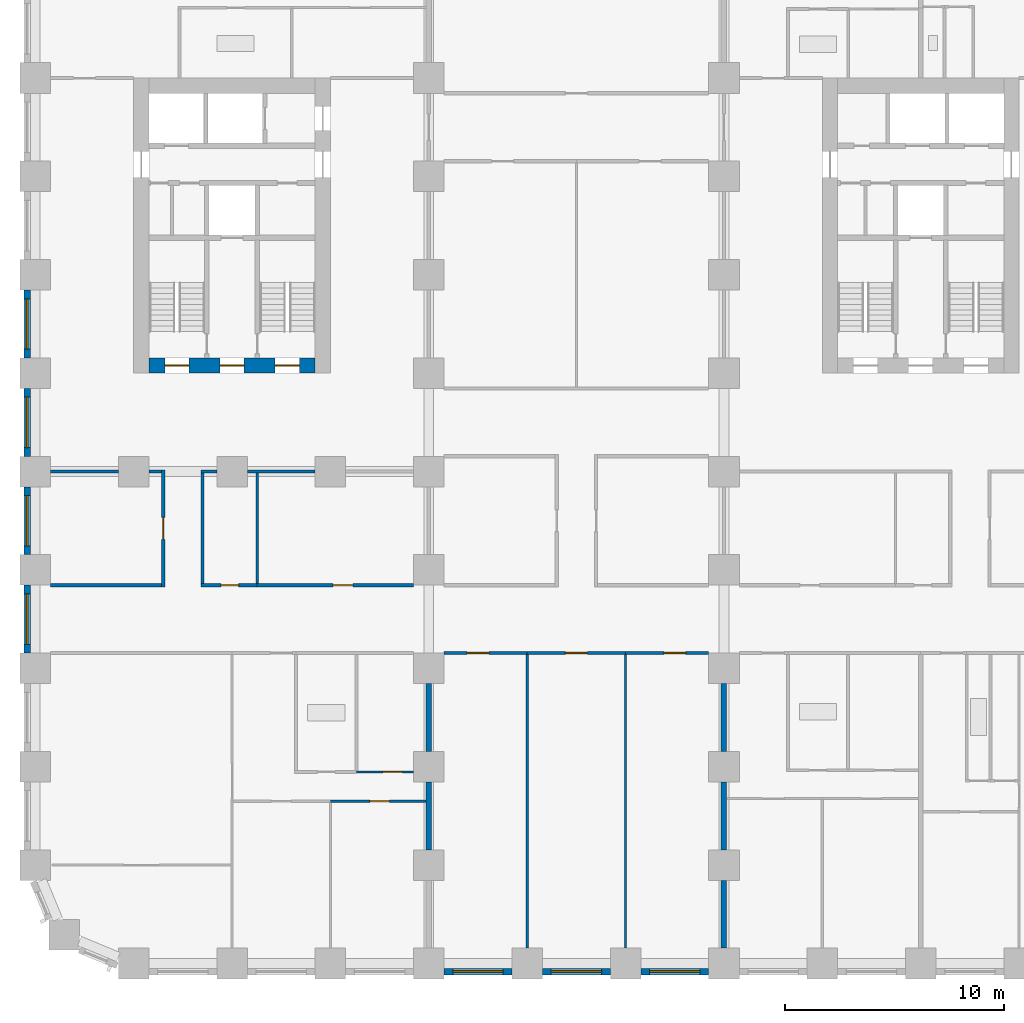
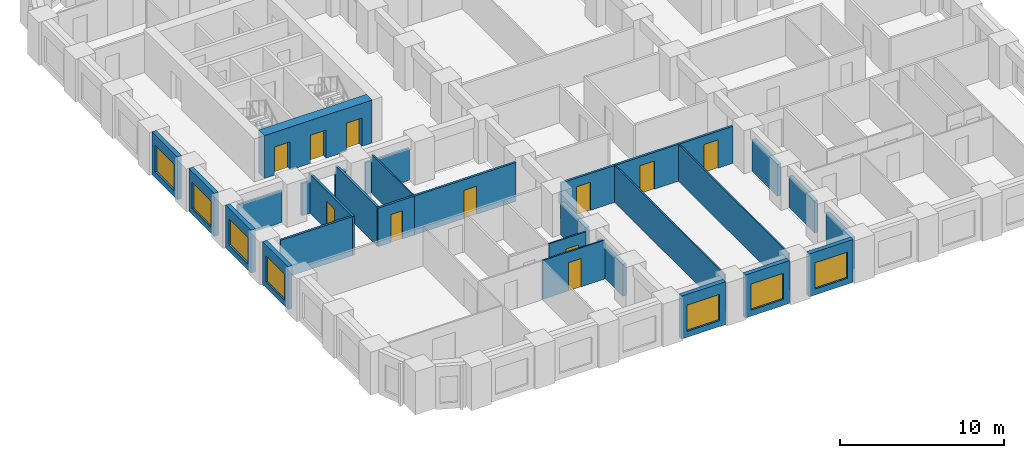
# One storey, part 3 of 12: 30 walls, 11 doors, 7 windows, 18 openings.
"""IFC4 building model written with IfcOpenShell, lengths in metres."""

from ifc_helpers import new_model, si_unit, direction, frame, frame_2d, origin, place, context, subcontext, project, spatial, rectangle, extrude, material, layer, layer_set, type_object, element, fill, save


model = new_model("IFC4")

# Units and contexts
model_context = context("Model", 3, precision=1e-05, world=origin(), true_north=direction((0.0, 1.0)))
body_context = subcontext(model_context, "Body", "Model", "MODEL_VIEW")
ifc_project = project(units=[si_unit("LENGTHUNIT", "METRE"), si_unit("AREAUNIT", "SQUARE_METRE"), si_unit("VOLUMEUNIT", "CUBIC_METRE"), si_unit("PLANEANGLEUNIT", "RADIAN"), si_unit("MASSUNIT", "GRAM", prefix="KILO")], contexts=[model_context])

# Site, building, storey
site_placement = place(None, origin())
site = spatial("IfcSite", under=ifc_project, at=site_placement, CompositionType="ELEMENT")
building_placement = place(site_placement, origin())
building = spatial("IfcBuilding", under=site, at=building_placement, Name="Girih Gate Residences", CompositionType="ELEMENT")
storey_placement = place(building_placement, frame((0.0, 0.0, 33.60009765625)))
storey = spatial("IfcBuildingStorey", under=building, at=storey_placement, Name="L07", CompositionType="ELEMENT", Elevation=33.60009765625)

# Walls
ifc_material_1 = material(Name="Gypsum board on steel studs", Category="steel")
ifc_layer_1 = layer(ifc_material_1, 0.25)
ifc_layer_set_1 = layer_set([ifc_layer_1], Name="Acoustic separating wall 250 mm")
wall_type_1 = type_object("IfcWallType", Name="Acoustic separating wall 250 mm", PredefinedType="PARTITIONING", material=ifc_layer_set_1)
for number, where, z_axis, x_axis, name in (
    (1, (18.0, 5.199951171875, 0.0), (0.0, 0.0, 1.0), (0.0, 1.0, 0.0), "L07 partition"),
    (2, (18.0, 9.699951171875, 0.0), (0.0, 0.0, 1.0), (0.0, 1.0, 0.0), "L07 partition"),
    (3, (31.5, 9.699951171875, 0.0), (0.0, 0.0, 1.0), (0.0, 1.0, 0.0), "L07 partition"),
    (4, (31.5, 0.699951171875, 0.0), (0.0, 0.0, 1.0), (0.0, 1.0, 0.0), "L07 partition"),
    (5, (31.5, 5.199951171875, 0.0), (0.0, 0.0, 1.0), (0.0, 1.0, 0.0), "L07 partition"),
):
    element("IfcWall", number, at=place(storey_placement, frame(where, z_axis=z_axis, x_axis=x_axis)), inside=storey, type_object=wall_type_1, Name=name, PredefinedType="PARTITIONING", context=body_context, shape_type="SweptSolid", body=[
        extrude(rectangle(XDim=3.10009765625, YDim=0.25, at=frame_2d((1.550048828125, 0.0))), origin(), (0.0, 0.0, 1.0), 2.3798828125),
    ])

# Wall, opening, door
ifc_layer_2 = layer(ifc_material_1, 0.14990234375)
ifc_layer_set_2 = layer_set([ifc_layer_2], Name="Compartment wall 150 mm")
wall_type_2 = type_object("IfcWallType", Name="Compartment wall 150 mm", PredefinedType="PARTITIONING", material=ifc_layer_set_2)
wall_1_placement = place(storey_placement, frame((22.5, 14.199951171875, 0.0), z_axis=(0.0, 0.0, 1.0), x_axis=(-1.0, 0.0, 0.0)))
wall_1 = element("IfcWall", 6, at=wall_1_placement, inside=storey, type_object=wall_type_2, Name="L07 partition", PredefinedType="PARTITIONING", context=body_context, shape_type="SweptSolid", body=[
    extrude(rectangle(XDim=3.800048828125, YDim=0.14990234375, at=frame_2d((1.89990234375, 0.0))), origin(), (0.0, 0.0, 1.0), 2.75),
])
opening_1_placement = place(wall_1_placement, frame((1.75, 0.0, 0.0)))
opening_1 = element("IfcOpeningElement", 7, at=opening_1_placement, cuts=wall_1, Name="Opening A07-040", PredefinedType="OPENING", context=body_context, shape_type="SweptSolid", body=[
    extrude(rectangle(XDim=1.0, YDim=2.10009765625, at=frame_2d((0.5, 1.050048828125))), frame((0.0, 0.0849609375, 0.0), z_axis=(0.0, -1.0, 0.0), x_axis=(1.0, 0.0, 0.0)), (0.0, 0.0, 1.0), 0.169921875),
])
ifc_material_2 = material(Name="Timber, fire-rated core", Category="wood")
door_type_1 = type_object("IfcDoorType", Name="Amenity room door 1000x2100 FD30S", OperationType="NOTDEFINED", PredefinedType="DOOR", material=ifc_material_2)
door_1_placement = place(opening_1_placement, origin())
door_1 = element("IfcDoor", 8, at=door_1_placement, inside=storey, type_object=door_type_1, Name="Door A07-040", OperationType="SINGLE_SWING_RIGHT", OverallHeight=2.10009765625, OverallWidth=1.0, PredefinedType="DOOR", context=body_context, shape_type="SweptSolid", body=[
    extrude(rectangle(XDim=1.0, YDim=2.10009765625, at=frame_2d((0.5, 1.050048828125))), frame((0.0, 0.02490234375, 0.0), z_axis=(0.0, -1.0, 0.0), x_axis=(1.0, 0.0, 0.0)), (0.0, 0.0, 1.0), 0.050048828125),
])
fill(opening_1, door_1)

wall_2_placement = place(storey_placement, frame((27.0, 14.199951171875, 0.0), z_axis=(0.0, 0.0, 1.0), x_axis=(-1.0, 0.0, 0.0)))
wall_2 = element("IfcWall", 9, at=wall_2_placement, inside=storey, type_object=wall_type_2, Name="L07 partition", PredefinedType="PARTITIONING", context=body_context, shape_type="SweptSolid", body=[
    extrude(rectangle(XDim=4.5, YDim=0.14990234375, at=frame_2d((2.25, 0.0))), origin(), (0.0, 0.0, 1.0), 2.75),
])
opening_2_placement = place(wall_2_placement, frame((1.75, 0.0, 0.0)))
opening_2 = element("IfcOpeningElement", 10, at=opening_2_placement, cuts=wall_2, Name="Opening A07-041", PredefinedType="OPENING", context=body_context, shape_type="SweptSolid", body=[
    extrude(rectangle(XDim=1.0, YDim=2.10009765625, at=frame_2d((0.5, 1.050048828125))), frame((0.0, 0.0849609375, 0.0), z_axis=(0.0, -1.0, 0.0), x_axis=(1.0, 0.0, 0.0)), (0.0, 0.0, 1.0), 0.169921875),
])
door_2_placement = place(opening_2_placement, origin())
door_2 = element("IfcDoor", 11, at=door_2_placement, inside=storey, type_object=door_type_1, Name="Door A07-041", OperationType="SINGLE_SWING_RIGHT", OverallHeight=2.10009765625, OverallWidth=1.0, PredefinedType="DOOR", context=body_context, shape_type="SweptSolid", body=[
    extrude(rectangle(XDim=1.0, YDim=2.10009765625, at=frame_2d((0.5, 1.050048828125))), frame((0.0, 0.02490234375, 0.0), z_axis=(0.0, -1.0, 0.0), x_axis=(1.0, 0.0, 0.0)), (0.0, 0.0, 1.0), 0.050048828125),
])
fill(opening_2, door_2)

wall_3_placement = place(storey_placement, frame((30.800048828125, 14.199951171875, 0.0), z_axis=(0.0, 0.0, 1.0), x_axis=(-1.0, 0.0, 0.0)))
wall_3 = element("IfcWall", 12, at=wall_3_placement, inside=storey, type_object=wall_type_2, Name="L07 partition", PredefinedType="PARTITIONING", context=body_context, shape_type="SweptSolid", body=[
    extrude(rectangle(XDim=3.800048828125, YDim=0.14990234375, at=frame_2d((1.89990234375, 0.0))), origin(), (0.0, 0.0, 1.0), 2.75),
])
opening_3_placement = place(wall_3_placement, frame((1.050048828125, 0.0, 0.0)))
opening_3 = element("IfcOpeningElement", 13, at=opening_3_placement, cuts=wall_3, Name="Opening A07-042", PredefinedType="OPENING", context=body_context, shape_type="SweptSolid", body=[
    extrude(rectangle(XDim=1.0, YDim=2.10009765625, at=frame_2d((0.5, 1.050048828125))), frame((0.0, 0.0849609375, 0.0), z_axis=(0.0, -1.0, 0.0), x_axis=(1.0, 0.0, 0.0)), (0.0, 0.0, 1.0), 0.169921875),
])
door_3_placement = place(opening_3_placement, origin())
door_3 = element("IfcDoor", 14, at=door_3_placement, inside=storey, type_object=door_type_1, Name="Door A07-042", OperationType="SINGLE_SWING_LEFT", OverallHeight=2.10009765625, OverallWidth=1.0, PredefinedType="DOOR", context=body_context, shape_type="SweptSolid", body=[
    extrude(rectangle(XDim=1.0, YDim=2.10009765625, at=frame_2d((0.5, 1.050048828125))), frame((0.0, 0.02490234375, 0.0), z_axis=(0.0, -1.0, 0.0), x_axis=(1.0, 0.0, 0.0)), (0.0, 0.0, 1.0), 0.050048828125),
])
fill(opening_3, door_3)

wall_4_placement = place(storey_placement, frame((10.14990234375, 17.300048828125, 0.0), z_axis=(0.0, 0.0, 1.0), x_axis=(1.0, 0.0, 0.0)))
wall_4 = element("IfcWall", 15, at=wall_4_placement, inside=storey, type_object=wall_type_2, Name="L07 partition", PredefinedType="PARTITIONING", context=body_context, shape_type="SweptSolid", body=[
    extrude(rectangle(XDim=7.150146484375, YDim=0.14990234375, at=frame_2d((3.5751953125, 0.0))), origin(), (0.0, 0.0, 1.0), 2.89990234375),
])
opening_4_placement = place(wall_4_placement, frame((3.47509765625, 0.0, 0.0)))
opening_4 = element("IfcOpeningElement", 16, at=opening_4_placement, cuts=wall_4, Name="Opening A07-046", PredefinedType="OPENING", context=body_context, shape_type="SweptSolid", body=[
    extrude(rectangle(XDim=0.89990234375, YDim=2.10009765625, at=frame_2d((0.449951171875, 1.050048828125))), frame((0.0, 0.0849609375, 0.0), z_axis=(0.0, -1.0, 0.0), x_axis=(1.0, 0.0, 0.0)), (0.0, 0.0, 1.0), 0.169921875),
])
ifc_material_3 = material(Name="Timber", Category="wood")
door_type_2 = type_object("IfcDoorType", Name="Service room door 900x2100", OperationType="NOTDEFINED", PredefinedType="DOOR", material=ifc_material_3)
door_4_placement = place(opening_4_placement, origin())
door_4 = element("IfcDoor", 17, at=door_4_placement, inside=storey, type_object=door_type_2, Name="Door A07-046", OperationType="SINGLE_SWING_RIGHT", OverallHeight=2.10009765625, OverallWidth=0.89990234375, PredefinedType="DOOR", context=body_context, shape_type="SweptSolid", body=[
    extrude(rectangle(XDim=0.89990234375, YDim=2.10009765625, at=frame_2d((0.449951171875, 1.050048828125))), frame((0.0, 0.02490234375, 0.0), z_axis=(0.0, -1.0, 0.0), x_axis=(1.0, 0.0, 0.0)), (0.0, 0.0, 1.0), 0.050048828125),
])
fill(opening_4, door_4)

wall_5_placement = place(storey_placement, frame((7.574951171875, 17.300048828125, 0.0), z_axis=(0.0, 0.0, 1.0), x_axis=(1.0, 0.0, 0.0)))
wall_5 = element("IfcWall", 18, at=wall_5_placement, inside=storey, type_object=wall_type_2, Name="L07 partition", PredefinedType="PARTITIONING", context=body_context, shape_type="SweptSolid", body=[
    extrude(rectangle(XDim=2.574951171875, YDim=0.14990234375, at=frame_2d((1.28759765625, 0.0))), origin(), (0.0, 0.0, 1.0), 2.89990234375),
])
opening_5_placement = place(wall_5_placement, frame((0.925048828125, 0.0, 0.0)))
opening_5 = element("IfcOpeningElement", 19, at=opening_5_placement, cuts=wall_5, Name="Opening A07-048", PredefinedType="OPENING", context=body_context, shape_type="SweptSolid", body=[
    extrude(rectangle(XDim=0.800048828125, YDim=2.10009765625, at=frame_2d((0.39990234375, 1.050048828125))), frame((0.0, 0.0849609375, 0.0), z_axis=(0.0, -1.0, 0.0), x_axis=(1.0, 0.0, 0.0)), (0.0, 0.0, 1.0), 0.169921875),
])
door_type_3 = type_object("IfcDoorType", Name="Bathroom door 800x2100", OperationType="NOTDEFINED", PredefinedType="DOOR", material=ifc_material_3)
door_5_placement = place(opening_5_placement, origin())
door_5 = element("IfcDoor", 20, at=door_5_placement, inside=storey, type_object=door_type_3, Name="Door A07-048", OperationType="SINGLE_SWING_RIGHT", OverallHeight=2.10009765625, OverallWidth=0.800048828125, PredefinedType="DOOR", context=body_context, shape_type="SweptSolid", body=[
    extrude(rectangle(XDim=0.800048828125, YDim=2.10009765625, at=frame_2d((0.39990234375, 1.050048828125))), frame((0.0, 0.02490234375, 0.0), z_axis=(0.0, -1.0, 0.0), x_axis=(1.0, 0.0, 0.0)), (0.0, 0.0, 1.0), 0.050048828125),
])
fill(opening_5, door_5)

# Walls
wall_6_placement = place(storey_placement, frame((0.699951171875, 17.300048828125, 0.0), z_axis=(0.0, 0.0, 1.0), x_axis=(1.0, 0.0, 0.0)))
element("IfcWall", 21, at=wall_6_placement, inside=storey, type_object=wall_type_2, Name="L07 partition", PredefinedType="PARTITIONING", context=body_context, shape_type="SweptSolid", body=[
    extrude(rectangle(XDim=5.074951171875, YDim=0.14990234375, at=frame_2d((2.53759765625, 0.0))), origin(), (0.0, 0.0, 1.0), 2.89990234375),
])
wall_7_placement = place(storey_placement, frame((9.699951171875, 22.5, 0.0), z_axis=(0.0, 0.0, 1.0), x_axis=(1.0, 0.0, 0.0)))
element("IfcWall", 22, at=wall_7_placement, inside=storey, type_object=wall_type_2, Name="L07 partition", PredefinedType="PARTITIONING", context=body_context, shape_type="SweptSolid", body=[
    extrude(rectangle(XDim=3.10009765625, YDim=0.14990234375, at=frame_2d((1.550048828125, 0.0))), origin(), (0.0, 0.0, 1.0), 2.3798828125),
])
wall_8_placement = place(storey_placement, frame((7.574951171875, 22.5, 0.0), z_axis=(0.0, 0.0, 1.0), x_axis=(1.0, 0.0, 0.0)))
element("IfcWall", 23, at=wall_8_placement, inside=storey, type_object=wall_type_2, Name="L07 partition", PredefinedType="PARTITIONING", context=body_context, shape_type="SweptSolid", body=[
    extrude(rectangle(XDim=0.72509765625, YDim=0.14990234375, at=frame_2d((0.362548828125, 0.0))), origin(), (0.0, 0.0, 1.0), 2.3798828125),
])
wall_9_placement = place(storey_placement, frame((5.199951171875, 22.5, 0.0), z_axis=(0.0, 0.0, 1.0), x_axis=(1.0, 0.0, 0.0)))
element("IfcWall", 24, at=wall_9_placement, inside=storey, type_object=wall_type_2, Name="L07 partition", PredefinedType="PARTITIONING", context=body_context, shape_type="SweptSolid", body=[
    extrude(rectangle(XDim=0.574951171875, YDim=0.14990234375, at=frame_2d((0.28759765625, 0.0))), origin(), (0.0, 0.0, 1.0), 2.3798828125),
])
wall_10_placement = place(storey_placement, frame((0.699951171875, 22.5, 0.0), z_axis=(0.0, 0.0, 1.0), x_axis=(1.0, 0.0, 0.0)))
element("IfcWall", 25, at=wall_10_placement, inside=storey, type_object=wall_type_2, Name="L07 partition", PredefinedType="PARTITIONING", context=body_context, shape_type="SweptSolid", body=[
    extrude(rectangle(XDim=3.10009765625, YDim=0.14990234375, at=frame_2d((1.550048828125, 0.0))), origin(), (0.0, 0.0, 1.0), 2.3798828125),
])
wall_11_placement = place(storey_placement, frame((7.64990234375, 17.375, 0.0), z_axis=(0.0, 0.0, 1.0), x_axis=(0.0, 1.0, 0.0)))
element("IfcWall", 26, at=wall_11_placement, inside=storey, type_object=wall_type_2, Name="L07 partition", PredefinedType="PARTITIONING", context=body_context, shape_type="SweptSolid", body=[
    extrude(rectangle(XDim=5.050048828125, YDim=0.14990234375, at=frame_2d((2.52490234375, 0.0))), origin(), (0.0, 0.0, 1.0), 2.89990234375),
])

# Wall, opening, door
wall_12_placement = place(storey_placement, frame((5.85009765625, 17.22509765625, 0.0), z_axis=(0.0, 0.0, 1.0), x_axis=(0.0, 1.0, 0.0)))
wall_12 = element("IfcWall", 27, at=wall_12_placement, inside=storey, type_object=wall_type_2, Name="L07 partition", PredefinedType="PARTITIONING", context=body_context, shape_type="SweptSolid", body=[
    extrude(rectangle(XDim=5.349853515625, YDim=0.14990234375, at=frame_2d((2.6748046875, 0.0))), origin(), (0.0, 0.0, 1.0), 2.89990234375),
])
opening_6_placement = place(wall_12_placement, frame((2.175048828125, 0.0, 0.0)))
opening_6 = element("IfcOpeningElement", 28, at=opening_6_placement, cuts=wall_12, Name="Opening A07-050", PredefinedType="OPENING", context=body_context, shape_type="SweptSolid", body=[
    extrude(rectangle(XDim=1.0, YDim=2.10009765625, at=frame_2d((0.5, 1.050048828125))), frame((0.0, 0.0849609375, 0.0), z_axis=(0.0, -1.0, 0.0), x_axis=(1.0, 0.0, 0.0)), (0.0, 0.0, 1.0), 0.169921875),
])
door_6_placement = place(opening_6_placement, origin())
door_6 = element("IfcDoor", 29, at=door_6_placement, inside=storey, type_object=door_type_1, Name="Door A07-050", OperationType="SINGLE_SWING_LEFT", OverallHeight=2.10009765625, OverallWidth=1.0, PredefinedType="DOOR", context=body_context, shape_type="SweptSolid", body=[
    extrude(rectangle(XDim=1.0, YDim=2.10009765625, at=frame_2d((0.5, 1.050048828125))), frame((0.0, 0.02490234375, 0.0), z_axis=(0.0, -1.0, 0.0), x_axis=(1.0, 0.0, 0.0)), (0.0, 0.0, 1.0), 0.050048828125),
])
fill(opening_6, door_6)

# Wall, openings, doors
ifc_material_4 = material(Name="Concrete C60/75", Category="concrete")
ifc_layer_3 = layer(ifc_material_4, 0.699951171875)
ifc_layer_set_3 = layer_set([ifc_layer_3], Name="Core wall RC 700 Concrete C60/75")
wall_type_3 = type_object("IfcWallType", Name="Core wall RC 700 Concrete C60/75", PredefinedType="SOLIDWALL", material=ifc_layer_set_3)
wall_13_placement = place(storey_placement, frame((5.199951171875, 27.35009765625, 0.0), z_axis=(0.0, 0.0, 1.0), x_axis=(1.0, 0.0, 0.0)))
wall_13 = element("IfcWall", 30, at=wall_13_placement, inside=storey, type_object=wall_type_3, Name="Core wall W-S L07", PredefinedType="SOLIDWALL", context=body_context, shape_type="SweptSolid", body=[
    extrude(rectangle(XDim=7.60009765625, YDim=0.699951171875, at=frame_2d((3.800048828125, 0.0))), origin(), (0.0, 0.0, 1.0), 3.199951171875),
])
opening_7_placement = place(wall_13_placement, frame((0.72509765625, 0.0, 0.0)))
opening_7 = element("IfcOpeningElement", 31, at=opening_7_placement, cuts=wall_13, Name="Opening D-L07-W-009", PredefinedType="OPENING", context=body_context, shape_type="SweptSolid", body=[
    extrude(rectangle(XDim=1.10009765625, YDim=2.10009765625, at=frame_2d((0.550048828125, 1.050048828125))), frame((0.0, 0.35986328125, 0.0), z_axis=(0.0, -1.0, 0.0), x_axis=(1.0, 0.0, 0.0)), (0.0, 0.0, 1.0), 0.719970703125),
])
opening_8_placement = place(wall_13_placement, frame((3.25, 0.0, 0.0)))
opening_8 = element("IfcOpeningElement", 32, at=opening_8_placement, cuts=wall_13, Name="Opening D-L07-W-010", PredefinedType="OPENING", context=body_context, shape_type="SweptSolid", body=[
    extrude(rectangle(XDim=1.10009765625, YDim=2.10009765625, at=frame_2d((0.550048828125, 1.050048828125))), frame((0.0, 0.35986328125, 0.0), z_axis=(0.0, -1.0, 0.0), x_axis=(1.0, 0.0, 0.0)), (0.0, 0.0, 1.0), 0.719970703125),
])
opening_9_placement = place(wall_13_placement, frame((5.77490234375, 0.0, 0.0)))
opening_9 = element("IfcOpeningElement", 33, at=opening_9_placement, cuts=wall_13, Name="Opening D-L07-W-011", PredefinedType="OPENING", context=body_context, shape_type="SweptSolid", body=[
    extrude(rectangle(XDim=1.10009765625, YDim=2.10009765625, at=frame_2d((0.550048828125, 1.050048828125))), frame((0.0, 0.35986328125, 0.0), z_axis=(0.0, -1.0, 0.0), x_axis=(1.0, 0.0, 0.0)), (0.0, 0.0, 1.0), 0.719970703125),
])
ifc_material_5 = material(Name="Painted steel, fire-resisting", Category="steel")
door_type_4 = type_object("IfcDoorType", Name="Fire door 1100x2100", OperationType="SINGLE_SWING_LEFT", PredefinedType="DOOR", material=ifc_material_5)
door_7_placement = place(opening_7_placement, origin())
door_7 = element("IfcDoor", 34, at=door_7_placement, inside=storey, type_object=door_type_4, Name="L07 W core door sta-out", OperationType="SINGLE_SWING_LEFT", OverallHeight=2.10009765625, OverallWidth=1.10009765625, PredefinedType="DOOR", context=body_context, shape_type="SweptSolid", body=[
    extrude(rectangle(XDim=1.10009765625, YDim=2.10009765625, at=frame_2d((0.550048828125, 1.050048828125))), frame((0.0, 0.02490234375, 0.0), z_axis=(0.0, -1.0, 0.0), x_axis=(1.0, 0.0, 0.0)), (0.0, 0.0, 1.0), 0.050048828125),
])
fill(opening_7, door_7)
door_8_placement = place(opening_8_placement, origin())
door_8 = element("IfcDoor", 35, at=door_8_placement, inside=storey, type_object=door_type_4, Name="L07 W core door ffl-out", OperationType="SINGLE_SWING_LEFT", OverallHeight=2.10009765625, OverallWidth=1.10009765625, PredefinedType="DOOR", context=body_context, shape_type="SweptSolid", body=[
    extrude(rectangle(XDim=1.10009765625, YDim=2.10009765625, at=frame_2d((0.550048828125, 1.050048828125))), frame((0.0, 0.02490234375, 0.0), z_axis=(0.0, -1.0, 0.0), x_axis=(1.0, 0.0, 0.0)), (0.0, 0.0, 1.0), 0.050048828125),
])
fill(opening_8, door_8)
door_9_placement = place(opening_9_placement, origin())
door_9 = element("IfcDoor", 36, at=door_9_placement, inside=storey, type_object=door_type_4, Name="L07 W core door stb-out", OperationType="SINGLE_SWING_LEFT", OverallHeight=2.10009765625, OverallWidth=1.10009765625, PredefinedType="DOOR", context=body_context, shape_type="SweptSolid", body=[
    extrude(rectangle(XDim=1.10009765625, YDim=2.10009765625, at=frame_2d((0.550048828125, 1.050048828125))), frame((0.0, 0.02490234375, 0.0), z_axis=(0.0, -1.0, 0.0), x_axis=(1.0, 0.0, 0.0)), (0.0, 0.0, 1.0), 0.050048828125),
])
fill(opening_9, door_9)

# Wall, opening, door
ifc_layer_4 = layer(ifc_material_1, 0.10009765625)
ifc_layer_set_4 = layer_set([ifc_layer_4], Name="Partition 100 mm")
wall_type_4 = type_object("IfcWallType", Name="Partition 100 mm", PredefinedType="PARTITIONING", material=ifc_layer_set_4)
wall_14_placement = place(storey_placement, frame((17.875, 7.419921875, 0.0), z_axis=(0.0, 0.0, 1.0), x_axis=(-1.0, 0.0, 0.0)))
wall_14 = element("IfcWall", 37, at=wall_14_placement, inside=storey, type_object=wall_type_4, Name="L07 partition", PredefinedType="PARTITIONING", context=body_context, shape_type="SweptSolid", body=[
    extrude(rectangle(XDim=4.375, YDim=0.10009765625, at=frame_2d((2.1875, 0.0))), origin(), (0.0, 0.0, 1.0), 2.89990234375),
])
opening_10_placement = place(wall_14_placement, frame((1.675048828125, 0.0, 0.0)))
opening_10 = element("IfcOpeningElement", 38, at=opening_10_placement, cuts=wall_14, Name="Opening A07-003", PredefinedType="OPENING", context=body_context, shape_type="SweptSolid", body=[
    extrude(rectangle(XDim=0.89990234375, YDim=2.10009765625, at=frame_2d((0.449951171875, 1.050048828125))), frame((0.0, 0.06005859375, 0.0), z_axis=(0.0, -1.0, 0.0), x_axis=(1.0, 0.0, 0.0)), (0.0, 0.0, 1.0), 0.1201171875),
])
door_type_5 = type_object("IfcDoorType", Name="Bedroom door 900x2100", OperationType="NOTDEFINED", PredefinedType="DOOR", material=ifc_material_3)
door_10_placement = place(opening_10_placement, origin())
door_10 = element("IfcDoor", 39, at=door_10_placement, inside=storey, type_object=door_type_5, Name="Door A07-003", OperationType="SINGLE_SWING_LEFT", OverallHeight=2.10009765625, OverallWidth=0.89990234375, PredefinedType="DOOR", context=body_context, shape_type="SweptSolid", body=[
    extrude(rectangle(XDim=0.89990234375, YDim=2.10009765625, at=frame_2d((0.449951171875, 1.050048828125))), frame((0.0, 0.02490234375, 0.0), z_axis=(0.0, -1.0, 0.0), x_axis=(1.0, 0.0, 0.0)), (0.0, 0.0, 1.0), 0.050048828125),
])
fill(opening_10, door_10)

wall_15_placement = place(storey_placement, frame((14.6904296875, 8.760009765625, 0.0), z_axis=(0.0, 0.0, 1.0), x_axis=(1.0, 0.0, 0.0)))
wall_15 = element("IfcWall", 40, at=wall_15_placement, inside=storey, type_object=wall_type_4, Name="L07 partition", PredefinedType="PARTITIONING", context=body_context, shape_type="SweptSolid", body=[
    extrude(rectangle(XDim=2.609619140625, YDim=0.10009765625, at=frame_2d((1.3046875, 0.0))), origin(), (0.0, 0.0, 1.0), 2.89990234375),
])
opening_11_placement = place(wall_15_placement, frame((1.20458984375, 0.0, 0.0)))
opening_11 = element("IfcOpeningElement", 41, at=opening_11_placement, cuts=wall_15, Name="Opening A07-006", PredefinedType="OPENING", context=body_context, shape_type="SweptSolid", body=[
    extrude(rectangle(XDim=0.89990234375, YDim=2.10009765625, at=frame_2d((0.449951171875, 1.050048828125))), frame((0.0, 0.06005859375, 0.0), z_axis=(0.0, -1.0, 0.0), x_axis=(1.0, 0.0, 0.0)), (0.0, 0.0, 1.0), 0.1201171875),
])
door_type_6 = type_object("IfcDoorType", Name="Kitchen door 900x2100", OperationType="NOTDEFINED", PredefinedType="DOOR", material=ifc_material_3)
door_11_placement = place(opening_11_placement, origin())
door_11 = element("IfcDoor", 42, at=door_11_placement, inside=storey, type_object=door_type_6, Name="Door A07-006", OperationType="SINGLE_SWING_RIGHT", OverallHeight=2.10009765625, OverallWidth=0.89990234375, PredefinedType="DOOR", context=body_context, shape_type="SweptSolid", body=[
    extrude(rectangle(XDim=0.89990234375, YDim=2.10009765625, at=frame_2d((0.449951171875, 1.050048828125))), frame((0.0, 0.02490234375, 0.0), z_axis=(0.0, -1.0, 0.0), x_axis=(1.0, 0.0, 0.0)), (0.0, 0.0, 1.0), 0.050048828125),
])
fill(opening_11, door_11)

# Walls
for number, where, z_axis, x_axis, name in (
    (43, (22.5, 0.699951171875, 0.0), (0.0, 0.0, 1.0), (0.0, 1.0, 0.0), "L07 partition"),
    (44, (27.0, 0.699951171875, 0.0), (0.0, 0.0, 1.0), (0.0, 1.0, 0.0), "L07 partition"),
):
    element("IfcWall", number, at=place(storey_placement, frame(where, z_axis=z_axis, x_axis=x_axis)), inside=storey, type_object=wall_type_4, Name=name, PredefinedType="PARTITIONING", context=body_context, shape_type="SweptSolid", body=[
        extrude(rectangle(XDim=13.425048828125, YDim=0.10009765625, at=frame_2d((6.71240234375, 0.0))), origin(), (0.0, 0.0, 1.0), 2.75),
    ])
wall_16_placement = place(storey_placement, frame((10.14990234375, 17.375, 0.0), z_axis=(0.0, 0.0, 1.0), x_axis=(0.0, 1.0, 0.0)))
element("IfcWall", 45, at=wall_16_placement, inside=storey, type_object=wall_type_4, Name="L07 partition", PredefinedType="PARTITIONING", context=body_context, shape_type="SweptSolid", body=[
    extrude(rectangle(XDim=5.050048828125, YDim=0.10009765625, at=frame_2d((2.52490234375, 0.0))), origin(), (0.0, 0.0, 1.0), 2.89990234375),
])

# Wall, opening, window
ifc_material_6 = material(Name="Precast concrete C50/60", Category="concrete")
ifc_layer_5 = layer(ifc_material_6, 0.080078125, Name="Outer leaf")
ifc_material_7 = material(Name="Rigid PIR insulation")
ifc_layer_6 = layer(ifc_material_7, 0.14990234375, Name="Insulation")
ifc_material_8 = material(Name="Precast concrete C40/50", Category="concrete")
ifc_layer_7 = layer(ifc_material_8, 0.070068359375, Name="Inner leaf")
ifc_layer_set_5 = layer_set([ifc_layer_5, ifc_layer_6, ifc_layer_7], Name="Precast concrete C50/60 external wall 300")
wall_type_5 = type_object("IfcWallType", Name="Precast concrete C50/60 external wall 300", PredefinedType="SOLIDWALL", material=ifc_layer_set_5)
wall_17_placement = place(storey_placement, frame((21.800048828125, -0.375, 0.0), z_axis=(0.0, 0.0, 1.0), x_axis=(-1.0, 0.0, 0.0)))
wall_17 = element("IfcWall", 46, at=wall_17_placement, inside=storey, type_object=wall_type_5, Name="External wall S0045_0000.3", PredefinedType="SOLIDWALL", context=body_context, shape_type="SweptSolid", body=[
    extrude(rectangle(XDim=3.10009765625, YDim=0.300048828125, at=frame_2d((1.550048828125, 0.0))), origin(), (0.0, 0.0, 1.0), 3.199951171875),
])
opening_12_placement = place(wall_17_placement, frame((0.39990234375, 0.0, 0.449951171875)))
opening_12 = element("IfcOpeningElement", 47, at=opening_12_placement, cuts=wall_17, Name="Opening W-1", PredefinedType="OPENING", context=body_context, shape_type="SweptSolid", body=[
    extrude(rectangle(XDim=2.300048828125, YDim=1.949951171875, at=frame_2d((1.14990234375, 0.97509765625))), frame((0.0, 0.159912109375, 0.0), z_axis=(0.0, -1.0, 0.0), x_axis=(1.0, 0.0, 0.0)), (0.0, 0.0, 1.0), 0.320068359375),
])
ifc_material_9 = material(Name="Double glazing in aluminium frame", Category="aluminium")
window_type = type_object("IfcWindowType", Name="Window W-1 2300x1950", PartitioningType="SINGLE_PANEL", PredefinedType="WINDOW", material=ifc_material_9)
window_1_placement = place(opening_12_placement, origin())
window_1 = element("IfcWindow", 48, at=window_1_placement, inside=storey, type_object=window_type, Name="Window W-1 S0045_0000.3", OverallHeight=1.949951171875, OverallWidth=2.300048828125, PartitioningType="SINGLE_PANEL", PredefinedType="WINDOW", context=body_context, shape_type="SweptSolid", body=[
    extrude(rectangle(XDim=2.300048828125, YDim=1.949951171875, at=frame_2d((1.14990234375, 0.97509765625))), frame((0.0, 0.030029296875, 0.0), z_axis=(0.0, -1.0, 0.0), x_axis=(1.0, 0.0, 0.0)), (0.0, 0.0, 1.0), 0.06005859375),
])
fill(opening_12, window_1)

wall_18_placement = place(storey_placement, frame((26.300048828125, -0.375, 0.0), z_axis=(0.0, 0.0, 1.0), x_axis=(-1.0, 0.0, 0.0)))
wall_18 = element("IfcWall", 49, at=wall_18_placement, inside=storey, type_object=wall_type_5, Name="External wall S0045_0000.4", PredefinedType="SOLIDWALL", context=body_context, shape_type="SweptSolid", body=[
    extrude(rectangle(XDim=3.10009765625, YDim=0.300048828125, at=frame_2d((1.550048828125, 0.0))), origin(), (0.0, 0.0, 1.0), 3.199951171875),
])
opening_13_placement = place(wall_18_placement, frame((0.39990234375, 0.0, 0.449951171875)))
opening_13 = element("IfcOpeningElement", 50, at=opening_13_placement, cuts=wall_18, Name="Opening W-1", PredefinedType="OPENING", context=body_context, shape_type="SweptSolid", body=[
    extrude(rectangle(XDim=2.300048828125, YDim=1.949951171875, at=frame_2d((1.14990234375, 0.97509765625))), frame((0.0, 0.159912109375, 0.0), z_axis=(0.0, -1.0, 0.0), x_axis=(1.0, 0.0, 0.0)), (0.0, 0.0, 1.0), 0.320068359375),
])
window_2_placement = place(opening_13_placement, origin())
window_2 = element("IfcWindow", 51, at=window_2_placement, inside=storey, type_object=window_type, Name="Window W-1 S0045_0000.4", OverallHeight=1.949951171875, OverallWidth=2.300048828125, PartitioningType="SINGLE_PANEL", PredefinedType="WINDOW", context=body_context, shape_type="SweptSolid", body=[
    extrude(rectangle(XDim=2.300048828125, YDim=1.949951171875, at=frame_2d((1.14990234375, 0.97509765625))), frame((0.0, 0.030029296875, 0.0), z_axis=(0.0, -1.0, 0.0), x_axis=(1.0, 0.0, 0.0)), (0.0, 0.0, 1.0), 0.06005859375),
])
fill(opening_13, window_2)

wall_19_placement = place(storey_placement, frame((30.800048828125, -0.375, 0.0), z_axis=(0.0, 0.0, 1.0), x_axis=(-1.0, 0.0, 0.0)))
wall_19 = element("IfcWall", 52, at=wall_19_placement, inside=storey, type_object=wall_type_5, Name="External wall S0045_0000.5", PredefinedType="SOLIDWALL", context=body_context, shape_type="SweptSolid", body=[
    extrude(rectangle(XDim=3.10009765625, YDim=0.300048828125, at=frame_2d((1.550048828125, 0.0))), origin(), (0.0, 0.0, 1.0), 3.199951171875),
])
opening_14_placement = place(wall_19_placement, frame((0.39990234375, 0.0, 0.449951171875)))
opening_14 = element("IfcOpeningElement", 53, at=opening_14_placement, cuts=wall_19, Name="Opening W-1", PredefinedType="OPENING", context=body_context, shape_type="SweptSolid", body=[
    extrude(rectangle(XDim=2.300048828125, YDim=1.949951171875, at=frame_2d((1.14990234375, 0.97509765625))), frame((0.0, 0.159912109375, 0.0), z_axis=(0.0, -1.0, 0.0), x_axis=(1.0, 0.0, 0.0)), (0.0, 0.0, 1.0), 0.320068359375),
])
window_3_placement = place(opening_14_placement, origin())
window_3 = element("IfcWindow", 54, at=window_3_placement, inside=storey, type_object=window_type, Name="Window W-1 S0045_0000.5", OverallHeight=1.949951171875, OverallWidth=2.300048828125, PartitioningType="SINGLE_PANEL", PredefinedType="WINDOW", context=body_context, shape_type="SweptSolid", body=[
    extrude(rectangle(XDim=2.300048828125, YDim=1.949951171875, at=frame_2d((1.14990234375, 0.97509765625))), frame((0.0, 0.030029296875, 0.0), z_axis=(0.0, -1.0, 0.0), x_axis=(1.0, 0.0, 0.0)), (0.0, 0.0, 1.0), 0.06005859375),
])
fill(opening_14, window_3)

wall_20_placement = place(storey_placement, frame((-0.375, 27.699951171875, 0.0), z_axis=(0.0, 0.0, 1.0), x_axis=(0.0, 1.0, 0.0)))
wall_20 = element("IfcWall", 55, at=wall_20_placement, inside=storey, type_object=wall_type_5, Name="External wall W0000_0450.3", PredefinedType="SOLIDWALL", context=body_context, shape_type="SweptSolid", body=[
    extrude(rectangle(XDim=3.10009765625, YDim=0.300048828125, at=frame_2d((1.550048828125, 0.0))), origin(), (0.0, 0.0, 1.0), 3.199951171875),
])
opening_15_placement = place(wall_20_placement, frame((0.39990234375, 0.0, 0.449951171875)))
opening_15 = element("IfcOpeningElement", 56, at=opening_15_placement, cuts=wall_20, Name="Opening W-1", PredefinedType="OPENING", context=body_context, shape_type="SweptSolid", body=[
    extrude(rectangle(XDim=2.300048828125, YDim=1.949951171875, at=frame_2d((1.14990234375, 0.97509765625))), frame((0.0, 0.159912109375, 0.0), z_axis=(0.0, -1.0, 0.0), x_axis=(1.0, 0.0, 0.0)), (0.0, 0.0, 1.0), 0.320068359375),
])
window_4_placement = place(opening_15_placement, origin())
window_4 = element("IfcWindow", 57, at=window_4_placement, inside=storey, type_object=window_type, Name="Window W-1 W0000_0450.3", OverallHeight=1.949951171875, OverallWidth=2.300048828125, PartitioningType="SINGLE_PANEL", PredefinedType="WINDOW", context=body_context, shape_type="SweptSolid", body=[
    extrude(rectangle(XDim=2.300048828125, YDim=1.949951171875, at=frame_2d((1.14990234375, 0.97509765625))), frame((0.0, 0.030029296875, 0.0), z_axis=(0.0, -1.0, 0.0), x_axis=(1.0, 0.0, 0.0)), (0.0, 0.0, 1.0), 0.06005859375),
])
fill(opening_15, window_4)

wall_21_placement = place(storey_placement, frame((-0.375, 23.199951171875, 0.0), z_axis=(0.0, 0.0, 1.0), x_axis=(0.0, 1.0, 0.0)))
wall_21 = element("IfcWall", 58, at=wall_21_placement, inside=storey, type_object=wall_type_5, Name="External wall W0000_0450.4", PredefinedType="SOLIDWALL", context=body_context, shape_type="SweptSolid", body=[
    extrude(rectangle(XDim=3.10009765625, YDim=0.300048828125, at=frame_2d((1.550048828125, 0.0))), origin(), (0.0, 0.0, 1.0), 3.199951171875),
])
opening_16_placement = place(wall_21_placement, frame((0.39990234375, 0.0, 0.449951171875)))
opening_16 = element("IfcOpeningElement", 59, at=opening_16_placement, cuts=wall_21, Name="Opening W-1", PredefinedType="OPENING", context=body_context, shape_type="SweptSolid", body=[
    extrude(rectangle(XDim=2.300048828125, YDim=1.949951171875, at=frame_2d((1.14990234375, 0.97509765625))), frame((0.0, 0.159912109375, 0.0), z_axis=(0.0, -1.0, 0.0), x_axis=(1.0, 0.0, 0.0)), (0.0, 0.0, 1.0), 0.320068359375),
])
window_5_placement = place(opening_16_placement, origin())
window_5 = element("IfcWindow", 60, at=window_5_placement, inside=storey, type_object=window_type, Name="Window W-1 W0000_0450.4", OverallHeight=1.949951171875, OverallWidth=2.300048828125, PartitioningType="SINGLE_PANEL", PredefinedType="WINDOW", context=body_context, shape_type="SweptSolid", body=[
    extrude(rectangle(XDim=2.300048828125, YDim=1.949951171875, at=frame_2d((1.14990234375, 0.97509765625))), frame((0.0, 0.030029296875, 0.0), z_axis=(0.0, -1.0, 0.0), x_axis=(1.0, 0.0, 0.0)), (0.0, 0.0, 1.0), 0.06005859375),
])
fill(opening_16, window_5)

wall_22_placement = place(storey_placement, frame((-0.375, 18.699951171875, 0.0), z_axis=(0.0, 0.0, 1.0), x_axis=(0.0, 1.0, 0.0)))
wall_22 = element("IfcWall", 61, at=wall_22_placement, inside=storey, type_object=wall_type_5, Name="External wall W0000_0450.5", PredefinedType="SOLIDWALL", context=body_context, shape_type="SweptSolid", body=[
    extrude(rectangle(XDim=3.10009765625, YDim=0.300048828125, at=frame_2d((1.550048828125, 0.0))), origin(), (0.0, 0.0, 1.0), 3.199951171875),
])
opening_17_placement = place(wall_22_placement, frame((0.39990234375, 0.0, 0.449951171875)))
opening_17 = element("IfcOpeningElement", 62, at=opening_17_placement, cuts=wall_22, Name="Opening W-1", PredefinedType="OPENING", context=body_context, shape_type="SweptSolid", body=[
    extrude(rectangle(XDim=2.300048828125, YDim=1.949951171875, at=frame_2d((1.14990234375, 0.97509765625))), frame((0.0, 0.159912109375, 0.0), z_axis=(0.0, -1.0, 0.0), x_axis=(1.0, 0.0, 0.0)), (0.0, 0.0, 1.0), 0.320068359375),
])
window_6_placement = place(opening_17_placement, origin())
window_6 = element("IfcWindow", 63, at=window_6_placement, inside=storey, type_object=window_type, Name="Window W-1 W0000_0450.5", OverallHeight=1.949951171875, OverallWidth=2.300048828125, PartitioningType="SINGLE_PANEL", PredefinedType="WINDOW", context=body_context, shape_type="SweptSolid", body=[
    extrude(rectangle(XDim=2.300048828125, YDim=1.949951171875, at=frame_2d((1.14990234375, 0.97509765625))), frame((0.0, 0.030029296875, 0.0), z_axis=(0.0, -1.0, 0.0), x_axis=(1.0, 0.0, 0.0)), (0.0, 0.0, 1.0), 0.06005859375),
])
fill(opening_17, window_6)

wall_23_placement = place(storey_placement, frame((-0.375, 14.199951171875, 0.0), z_axis=(0.0, 0.0, 1.0), x_axis=(0.0, 1.0, 0.0)))
wall_23 = element("IfcWall", 64, at=wall_23_placement, inside=storey, type_object=wall_type_5, Name="External wall W0000_0450.6", PredefinedType="SOLIDWALL", context=body_context, shape_type="SweptSolid", body=[
    extrude(rectangle(XDim=3.10009765625, YDim=0.300048828125, at=frame_2d((1.550048828125, 0.0))), origin(), (0.0, 0.0, 1.0), 3.199951171875),
])
opening_18_placement = place(wall_23_placement, frame((0.39990234375, 0.0, 0.449951171875)))
opening_18 = element("IfcOpeningElement", 65, at=opening_18_placement, cuts=wall_23, Name="Opening W-1", PredefinedType="OPENING", context=body_context, shape_type="SweptSolid", body=[
    extrude(rectangle(XDim=2.300048828125, YDim=1.949951171875, at=frame_2d((1.14990234375, 0.97509765625))), frame((0.0, 0.159912109375, 0.0), z_axis=(0.0, -1.0, 0.0), x_axis=(1.0, 0.0, 0.0)), (0.0, 0.0, 1.0), 0.320068359375),
])
window_7_placement = place(opening_18_placement, origin())
window_7 = element("IfcWindow", 66, at=window_7_placement, inside=storey, type_object=window_type, Name="Window W-1 W0000_0450.6", OverallHeight=1.949951171875, OverallWidth=2.300048828125, PartitioningType="SINGLE_PANEL", PredefinedType="WINDOW", context=body_context, shape_type="SweptSolid", body=[
    extrude(rectangle(XDim=2.300048828125, YDim=1.949951171875, at=frame_2d((1.14990234375, 0.97509765625))), frame((0.0, 0.030029296875, 0.0), z_axis=(0.0, -1.0, 0.0), x_axis=(1.0, 0.0, 0.0)), (0.0, 0.0, 1.0), 0.06005859375),
])
fill(opening_18, window_7)

save(model, "model.ifc")
